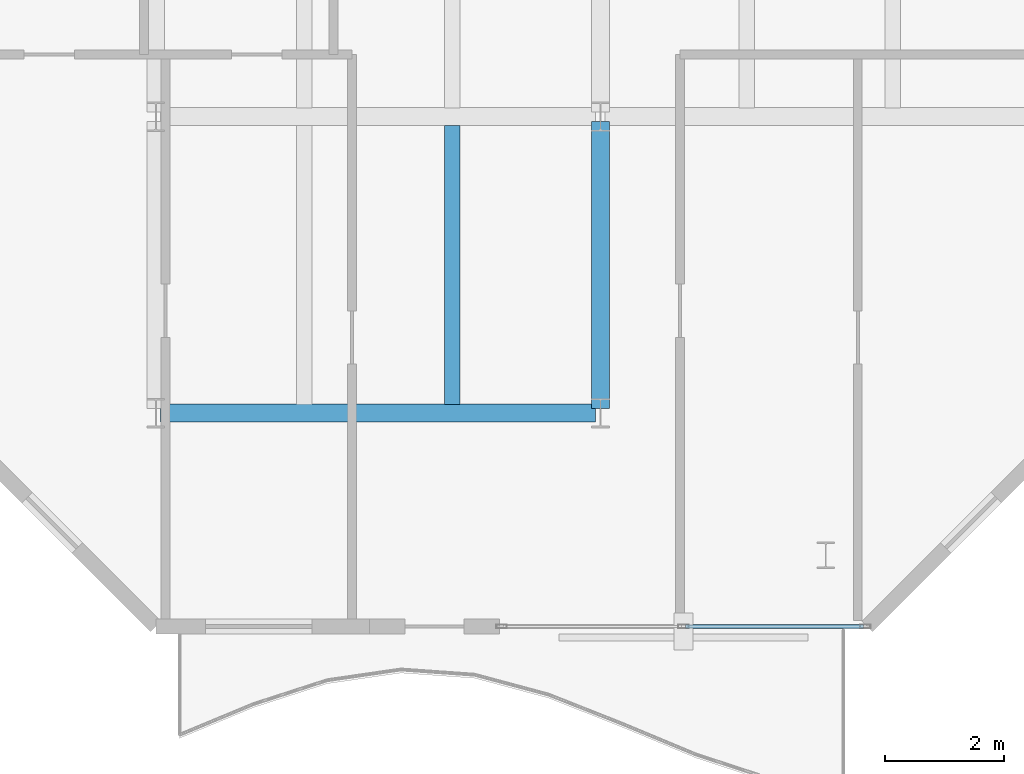
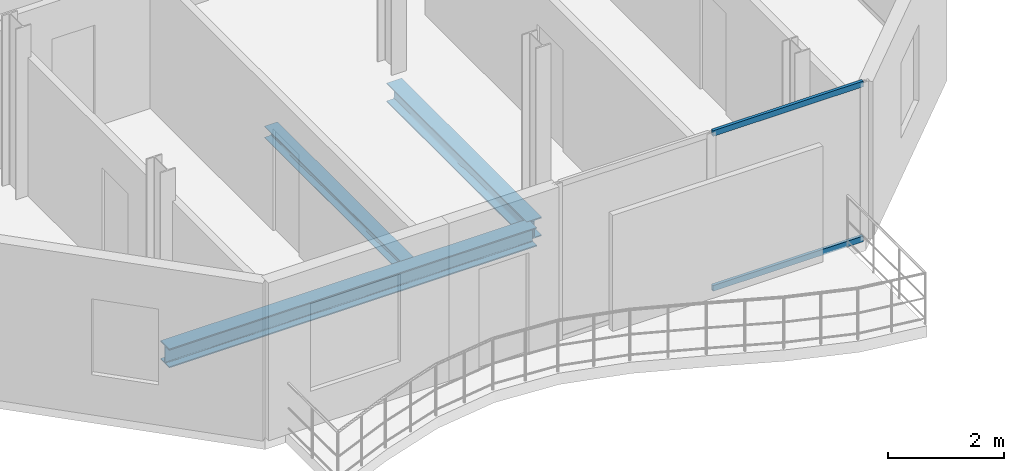
# One storey, part 4 of 23: 3 beams, 2 members, 1 element without a shape of its own.
"""IFC4 building model written with IfcOpenShell, lengths in metres."""

from ifc_helpers import new_model, si_unit, direction, frame, origin, origin_2d, place, context, subcontext, project, spatial, hollow_rectangle, i_section, extrude, material, layer, layer_set, material_profile, profile_set, type_object, element, aggregate, save


model = new_model("IFC4")

# Units and contexts
model_context = context("Model", 3, precision=1e-05, world=origin(), true_north=direction((0.0, 1.0)))
body_context = subcontext(model_context, "Body", "Model", "MODEL_VIEW")
ifc_project = project(units=[si_unit("LENGTHUNIT", "METRE"), si_unit("AREAUNIT", "SQUARE_METRE"), si_unit("VOLUMEUNIT", "CUBIC_METRE"), si_unit("PLANEANGLEUNIT", "RADIAN"), si_unit("MASSUNIT", "GRAM", prefix="KILO")], contexts=[model_context])

# Site, building, storey
site_placement = place(None, origin())
site = spatial("IfcSite", under=ifc_project, at=site_placement, CompositionType="ELEMENT")
building_placement = place(site_placement, origin())
building = spatial("IfcBuilding", under=site, at=building_placement, Name="Catumbela Crestline Tower", CompositionType="ELEMENT")
storey_placement = place(building_placement, frame((0.0, 0.0, 197.4)))
storey = spatial("IfcBuildingStorey", under=building, at=storey_placement, Name="L51", CompositionType="ELEMENT", Elevation=197.4)

# Beams
ifc_material_1 = material(Name="Structural steel S355J2", Category="steel")
ifc_material_profile_1 = material_profile(ifc_material_1, i_section(OverallWidth=0.3, OverallDepth=0.4, WebThickness=0.0135, FlangeThickness=0.024, FilletRadius=0.027, at=origin_2d()), Name="HEB 400")
ifc_profile_set_1 = profile_set([ifc_material_profile_1], Name="Structural steel S355J2")
beam_type_1 = type_object("IfcBeamType", Name="BG-HEB400", PredefinedType="BEAM", material=ifc_profile_set_1)
beam_1_placement = place(storey_placement, frame((8.58, 8.6, -0.46), z_axis=(1.0, 0.0, 0.0), x_axis=(0.0, 1.0, 0.0)))
element("IfcBeam", 1, at=beam_1_placement, inside=storey, type_object=beam_type_1, Name="L51 Beam BM-L51-WEW32", PredefinedType="BEAM", context=body_context, shape_type="SweptSolid", body=[
    extrude(i_section(OverallWidth=0.3, OverallDepth=0.4, WebThickness=0.0135, FlangeThickness=0.024, FilletRadius=0.027, at=origin_2d()), origin(), (0.0, 0.0, 1.0), 7.34),
])
beam_2_placement = place(storey_placement, frame((16.0, 8.68, -0.46), z_axis=(0.0, 1.0, 0.0), x_axis=(-1.0, 0.0, 0.0)))
element("IfcBeam", 2, at=beam_2_placement, inside=storey, type_object=beam_type_1, Name="L51 Beam BM-L51-WNS40", PredefinedType="BEAM", context=body_context, shape_type="SweptSolid", body=[
    extrude(i_section(OverallWidth=0.3, OverallDepth=0.4, WebThickness=0.0135, FlangeThickness=0.024, FilletRadius=0.027, at=origin_2d()), origin(), (0.0, 0.0, 1.0), 4.84),
])
ifc_material_profile_2 = material_profile(ifc_material_1, i_section(OverallWidth=0.26, OverallDepth=0.25, WebThickness=0.0075, FlangeThickness=0.0125, FilletRadius=0.024, at=origin_2d()), Name="HEA 260")
ifc_profile_set_2 = profile_set([ifc_material_profile_2], Name="Structural steel S355J2")
beam_type_2 = type_object("IfcBeamType", Name="BJ-HEA260", PredefinedType="JOIST", material=ifc_profile_set_2)
beam_3_placement = place(storey_placement, frame((13.5, 8.747, -0.385), z_axis=(0.0, 1.0, 0.0), x_axis=(-1.0, 0.0, 0.0)))
element("IfcBeam", 3, at=beam_3_placement, inside=storey, type_object=beam_type_2, Name="L51 Joist JS-L51-WG45", PredefinedType="JOIST", context=body_context, shape_type="SweptSolid", body=[
    extrude(i_section(OverallWidth=0.26, OverallDepth=0.25, WebThickness=0.0075, FlangeThickness=0.0125, FilletRadius=0.024, at=origin_2d()), origin(), (0.0, 0.0, 1.0), 4.706),
])

# Curtain wall, members
ifc_material_2 = material(Name="Aluminium alloy AW-6060-T66", Category="aluminium")
ifc_layer = layer(ifc_material_2, 0.18, Name="Aluminium alloy AW-6060-T66")
ifc_layer_set = layer_set([ifc_layer], Name="Aluminium alloy AW-6060-T66")
curtain_wall_type = type_object("IfcCurtainWallType", Name="CWU-Z3", PredefinedType="USERDEFINED", material=ifc_layer_set)
curtain_wall_placement = place(storey_placement, origin())
curtain_wall = element("IfcCurtainWall", 4, at=curtain_wall_placement, inside=storey, type_object=curtain_wall_type, Name="L51 Unitised Curtain Wall CW-L51-E0S2", ObjectType="UNITISED", PredefinedType="USERDEFINED")
ifc_material_profile_3 = material_profile(ifc_material_2, hollow_rectangle(XDim=0.06, YDim=0.12, WallThickness=0.0035, at=origin_2d()), Name="ALU 120x60x3.5")
ifc_profile_set_3 = profile_set([ifc_material_profile_3], Name="Aluminium alloy AW-6060-T66")
member_type = type_object("IfcMemberType", Name="TRN-120X60", PredefinedType="USERDEFINED", material=ifc_profile_set_3)
member_1_placement = place(storey_placement, frame((17.4325, 5.0, 0.03), z_axis=(1.0, 0.0, 0.0), x_axis=(0.0, 1.0, 0.0)))
member_1 = element("IfcMember", 5, at=member_1_placement, type_object=member_type, Name="CWU-Z3 transom 2.1", ObjectType="TRANSOM", PredefinedType="USERDEFINED", context=body_context, shape_type="SweptSolid", body=[
    extrude(hollow_rectangle(XDim=0.06, YDim=0.12, WallThickness=0.0035, at=origin_2d()), origin(), (0.0, 0.0, 1.0), 3.0025),
])
member_2_placement = place(storey_placement, frame((17.4325, 5.0, 3.3), z_axis=(1.0, 0.0, 0.0), x_axis=(0.0, 1.0, 0.0)))
member_2 = element("IfcMember", 6, at=member_2_placement, type_object=member_type, Name="CWU-Z3 transom 2.2", ObjectType="TRANSOM", PredefinedType="USERDEFINED", context=body_context, shape_type="SweptSolid", body=[
    extrude(hollow_rectangle(XDim=0.06, YDim=0.12, WallThickness=0.0035, at=origin_2d()), origin(), (0.0, 0.0, 1.0), 3.0025),
])
aggregate(curtain_wall, [member_1, member_2])

save(model, "model.ifc")
